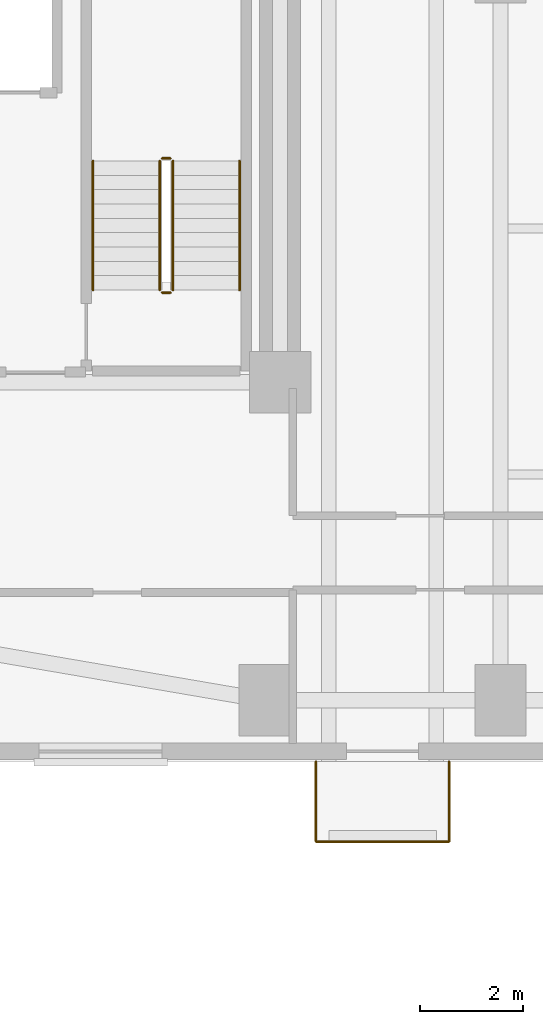
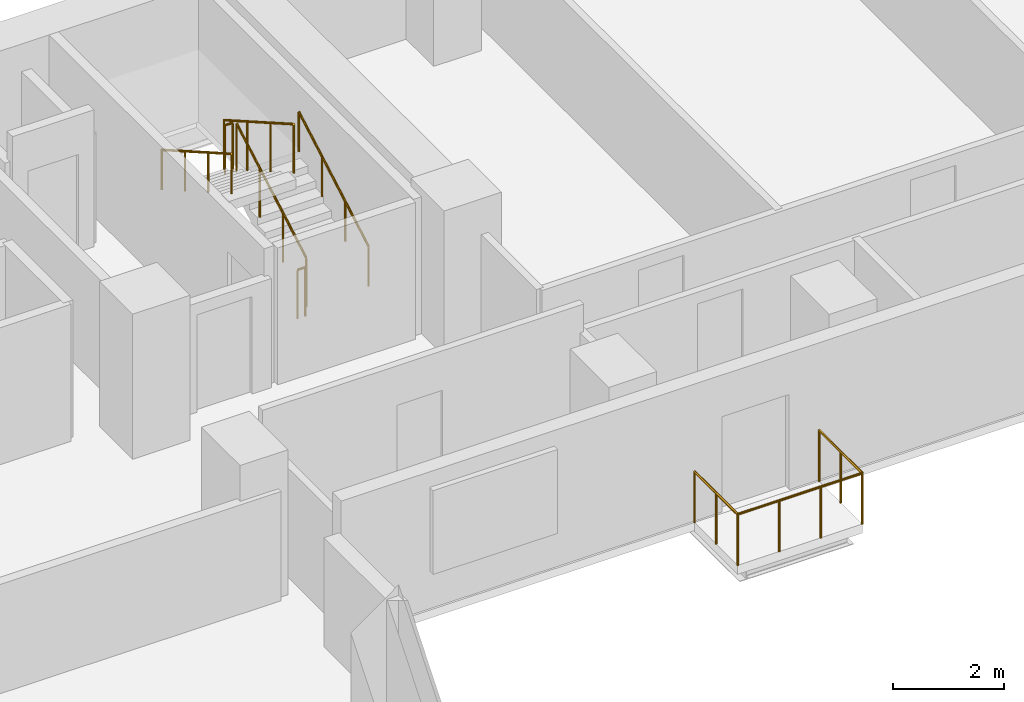
# One storey, part 15 of 17: 9 railings.
"""IFC4 building model written with IfcOpenShell, lengths in metres."""

from ifc_helpers import new_model, si_unit, direction, frame, origin, origin_2d, place, context, subcontext, project, spatial, circle, extrude, material, layer, layer_set, type_object, element, save


model = new_model("IFC4")

# Units and contexts
model_context = context("Model", 3, precision=1e-05, world=origin(), true_north=direction((0.0, 1.0)))
body_context = subcontext(model_context, "Body", "Model", "MODEL_VIEW")
ifc_project = project(units=[si_unit("LENGTHUNIT", "METRE"), si_unit("AREAUNIT", "SQUARE_METRE"), si_unit("VOLUMEUNIT", "CUBIC_METRE"), si_unit("PLANEANGLEUNIT", "RADIAN"), si_unit("MASSUNIT", "GRAM", prefix="KILO")], contexts=[model_context])

# Site, building, storey
site_placement = place(None, origin())
site = spatial("IfcSite", under=ifc_project, at=site_placement, CompositionType="ELEMENT")
building_placement = place(site_placement, origin())
building = spatial("IfcBuilding", under=site, at=building_placement, Name="Kuzgunbayir Cultural Tower", CompositionType="ELEMENT")
storey_placement = place(building_placement, frame((0.0, 0.0, 46.800048828125)))
storey = spatial("IfcBuildingStorey", under=building, at=storey_placement, Name="L12", CompositionType="ELEMENT", Elevation=46.800048828125)

# Railings
ifc_material_1 = material(Name="Laminated Glass and Stainless Steel", Category="steel")
ifc_layer_1 = layer(ifc_material_1, 0.080078125)
ifc_layer_set_1 = layer_set([ifc_layer_1], Name="Laminated Glass and Stainless Steel")
railing_type_1 = type_object("IfcRailingType", Name="RLG-BAL-115", PredefinedType="BALUSTRADE", material=ifc_layer_set_1)
railing_1_placement = place(storey_placement, frame((27.60009765625, 26.39990234375, 0.0)))
element("IfcRailing", 1, at=railing_1_placement, inside=storey, type_object=railing_type_1, Name="L12 Balcony Guard BAL-L12-WB1 Segment 1", PredefinedType="BALUSTRADE", context=body_context, shape_type="SweptSolid", body=[
    extrude(circle(Radius=0.02392578125, at=origin_2d()), frame((0.0, 0.0, 1.1259765625), z_axis=(0.0, -1.0, 0.0), x_axis=(1.0, 0.0, 0.0)), (0.0, 0.0, 1.0), 1.559814453125),
    extrude(circle(Radius=0.02099609375, at=origin_2d()), origin(), (0.0, 0.0, 1.0), 1.101806640625),
    extrude(circle(Radius=0.02099609375, at=origin_2d()), frame((0.0, -0.77978515625, 0.0)), (0.0, 0.0, 1.0), 1.101806640625),
    extrude(circle(Radius=0.02099609375, at=origin_2d()), frame((0.0, -1.559814453125, 0.0)), (0.0, 0.0, 1.0), 1.101806640625),
])
railing_2_placement = place(storey_placement, frame((27.60009765625, 24.840087890625, 0.0)))
element("IfcRailing", 2, at=railing_2_placement, inside=storey, type_object=railing_type_1, Name="L12 Balcony Guard BAL-L12-WB1 Segment 2", PredefinedType="BALUSTRADE", context=body_context, shape_type="SweptSolid", body=[
    extrude(circle(Radius=0.02392578125, at=origin_2d()), frame((0.0, 0.0, 1.1259765625), z_axis=(1.0, 0.0, 0.0), x_axis=(0.0, 1.0, 0.0)), (0.0, 0.0, 1.0), 2.599853515625),
    extrude(circle(Radius=0.02099609375, at=origin_2d()), origin(), (0.0, 0.0, 1.0), 1.101806640625),
    extrude(circle(Radius=0.02099609375, at=origin_2d()), frame((0.86669921875, 0.0, 0.0)), (0.0, 0.0, 1.0), 1.101806640625),
    extrude(circle(Radius=0.02099609375, at=origin_2d()), frame((1.733154296875, 0.0, 0.0)), (0.0, 0.0, 1.0), 1.101806640625),
    extrude(circle(Radius=0.02099609375, at=origin_2d()), frame((2.599853515625, 0.0, 0.0)), (0.0, 0.0, 1.0), 1.101806640625),
])
railing_3_placement = place(storey_placement, frame((30.199951171875, 24.840087890625, 0.0)))
element("IfcRailing", 3, at=railing_3_placement, inside=storey, type_object=railing_type_1, Name="L12 Balcony Guard BAL-L12-WB1 Segment 3", PredefinedType="BALUSTRADE", context=body_context, shape_type="SweptSolid", body=[
    extrude(circle(Radius=0.02392578125, at=origin_2d()), frame((0.0, 0.0, 1.1259765625), z_axis=(0.0, 1.0, 0.0), x_axis=(-1.0, 0.0, 0.0)), (0.0, 0.0, 1.0), 1.559814453125),
    extrude(circle(Radius=0.02099609375, at=origin_2d()), origin(), (0.0, 0.0, 1.0), 1.101806640625),
    extrude(circle(Radius=0.02099609375, at=origin_2d()), frame((0.0, 0.77978515625, 0.0)), (0.0, 0.0, 1.0), 1.101806640625),
    extrude(circle(Radius=0.02099609375, at=origin_2d()), frame((0.0, 1.559814453125, 0.0)), (0.0, 0.0, 1.0), 1.101806640625),
])
ifc_material_2 = material(Name="Brushed Stainless Steel", Category="steel")
ifc_layer_2 = layer(ifc_material_2, 0.050048828125)
ifc_layer_set_2 = layer_set([ifc_layer_2], Name="Brushed Stainless Steel")
railing_type_2 = type_object("IfcRailingType", Name="RLG-STAIR-HANDRAIL", PredefinedType="HANDRAIL", material=ifc_layer_set_2)
railing_4_placement = place(storey_placement, frame((26.110107421875, 35.60009765625, 0.159912109375)))
element("IfcRailing", 4, at=railing_4_placement, inside=storey, type_object=railing_type_2, Name="L12 ST-2 stair handrail 1", PredefinedType="HANDRAIL", context=body_context, shape_type="SweptSolid", body=[
    extrude(circle(Radius=0.02392578125, at=origin_2d()), frame((0.0, 0.0, 0.8759765625), z_axis=(0.0, 0.868253494771, 0.496120820787), x_axis=(-1.0, 0.0, 0.0)), (0.0, 0.0, 1.0), 2.90234375),
    extrude(circle(Radius=0.02099609375, at=origin_2d()), origin(), (0.0, 0.0, 1.0), 0.851806640625),
    extrude(circle(Radius=0.02099609375, at=origin_2d()), frame((0.0, 0.840087890625, 0.47998046875)), (0.0, 0.0, 1.0), 0.851806640625),
    extrude(circle(Radius=0.02099609375, at=origin_2d()), frame((0.0, 1.679931640625, 0.9599609375)), (0.0, 0.0, 1.0), 0.851806640625),
    extrude(circle(Radius=0.02099609375, at=origin_2d()), frame((0.0, 2.52001953125, 1.43994140625)), (0.0, 0.0, 1.0), 0.851806640625),
])
railing_5_placement = place(storey_placement, frame((23.25, 38.1201171875, 1.760009765625)))
element("IfcRailing", 5, at=railing_5_placement, inside=storey, type_object=railing_type_2, Name="L12 ST-2 stair handrail 2", PredefinedType="HANDRAIL", context=body_context, shape_type="SweptSolid", body=[
    extrude(circle(Radius=0.02392578125, at=origin_2d()), frame((0.0, 0.0, 0.8759765625), z_axis=(0.0, -0.868253494771, 0.496120820787), x_axis=(1.0, 0.0, 0.0)), (0.0, 0.0, 1.0), 2.90234375),
    extrude(circle(Radius=0.02099609375, at=origin_2d()), origin(), (0.0, 0.0, 1.0), 0.851806640625),
    extrude(circle(Radius=0.02099609375, at=origin_2d()), frame((0.0, -0.840087890625, 0.47998046875)), (0.0, 0.0, 1.0), 0.851806640625),
    extrude(circle(Radius=0.02099609375, at=origin_2d()), frame((0.0, -1.679931640625, 0.9599609375)), (0.0, 0.0, 1.0), 0.851806640625),
    extrude(circle(Radius=0.02099609375, at=origin_2d()), frame((0.0, -2.52001953125, 1.43994140625)), (0.0, 0.0, 1.0), 0.851806640625),
])
ifc_material_3 = material(Name="Painted Steel Balustrade", Category="steel")
ifc_layer_3 = layer(ifc_material_3, 0.06005859375)
ifc_layer_set_3 = layer_set([ifc_layer_3], Name="Painted Steel Balustrade")
railing_type_3 = type_object("IfcRailingType", Name="RLG-WELL-GUARD", PredefinedType="GUARDRAIL", material=ifc_layer_set_3)
railing_6_placement = place(storey_placement, frame((24.81005859375, 35.60009765625, 0.159912109375)))
element("IfcRailing", 6, at=railing_6_placement, inside=storey, type_object=railing_type_3, Name="L12 ST-2 stair guard 1", PredefinedType="GUARDRAIL", context=body_context, shape_type="SweptSolid", body=[
    extrude(circle(Radius=0.02392578125, at=origin_2d()), frame((0.0, 0.0, 1.076171875), z_axis=(0.0, 0.868253494771, 0.496120820787), x_axis=(-1.0, 0.0, 0.0)), (0.0, 0.0, 1.0), 2.90234375),
    extrude(circle(Radius=0.02099609375, at=origin_2d()), origin(), (0.0, 0.0, 1.0), 1.052001953125),
    extrude(circle(Radius=0.02099609375, at=origin_2d()), frame((0.0, 0.840087890625, 0.47998046875)), (0.0, 0.0, 1.0), 1.052001953125),
    extrude(circle(Radius=0.02099609375, at=origin_2d()), frame((0.0, 1.679931640625, 0.9599609375)), (0.0, 0.0, 1.0), 1.052001953125),
    extrude(circle(Radius=0.02099609375, at=origin_2d()), frame((0.0, 2.52001953125, 1.43994140625)), (0.0, 0.0, 1.0), 1.052001953125),
])
railing_7_placement = place(storey_placement, frame((24.760009765625, 38.169921875, 1.599853515625)))
element("IfcRailing", 7, at=railing_7_placement, inside=storey, type_object=railing_type_3, Name="L12 ST-2 stair guard 2", PredefinedType="GUARDRAIL", context=body_context, shape_type="SweptSolid", body=[
    extrude(circle(Radius=0.02392578125, at=origin_2d()), frame((0.0, 0.0, 1.076171875), z_axis=(-1.0, 0.0, 0.0), x_axis=(0.0, -1.0, 0.0)), (0.0, 0.0, 1.0), 0.159912109375),
    extrude(circle(Radius=0.02099609375, at=origin_2d()), origin(), (0.0, 0.0, 1.0), 1.052001953125),
    extrude(circle(Radius=0.02099609375, at=origin_2d()), frame((-0.159912109375, 0.0, 0.0)), (0.0, 0.0, 1.0), 1.052001953125),
])
railing_8_placement = place(storey_placement, frame((24.550048828125, 38.1201171875, 1.760009765625)))
element("IfcRailing", 8, at=railing_8_placement, inside=storey, type_object=railing_type_3, Name="L12 ST-2 stair guard 3", PredefinedType="GUARDRAIL", context=body_context, shape_type="SweptSolid", body=[
    extrude(circle(Radius=0.02392578125, at=origin_2d()), frame((0.0, 0.0, 1.076171875), z_axis=(0.0, -0.868253494771, 0.496120820787), x_axis=(1.0, 0.0, 0.0)), (0.0, 0.0, 1.0), 2.90234375),
    extrude(circle(Radius=0.02099609375, at=origin_2d()), origin(), (0.0, 0.0, 1.0), 1.052001953125),
    extrude(circle(Radius=0.02099609375, at=origin_2d()), frame((0.0, -0.840087890625, 0.47998046875)), (0.0, 0.0, 1.0), 1.052001953125),
    extrude(circle(Radius=0.02099609375, at=origin_2d()), frame((0.0, -1.679931640625, 0.9599609375)), (0.0, 0.0, 1.0), 1.052001953125),
    extrude(circle(Radius=0.02099609375, at=origin_2d()), frame((0.0, -2.52001953125, 1.43994140625)), (0.0, 0.0, 1.0), 1.052001953125),
])
railing_9_placement = place(storey_placement, frame((24.760009765625, 35.550048828125, 0.0)))
element("IfcRailing", 9, at=railing_9_placement, inside=storey, type_object=railing_type_3, Name="L12 ST-2 stair guard 4", PredefinedType="GUARDRAIL", context=body_context, shape_type="SweptSolid", body=[
    extrude(circle(Radius=0.02392578125, at=origin_2d()), frame((0.0, 0.0, 1.076171875), z_axis=(-1.0, 0.0, 0.0), x_axis=(0.0, -1.0, 0.0)), (0.0, 0.0, 1.0), 0.159912109375),
    extrude(circle(Radius=0.02099609375, at=origin_2d()), origin(), (0.0, 0.0, 1.0), 1.052001953125),
    extrude(circle(Radius=0.02099609375, at=origin_2d()), frame((-0.159912109375, 0.0, 0.0)), (0.0, 0.0, 1.0), 1.052001953125),
])

save(model, "model.ifc")
